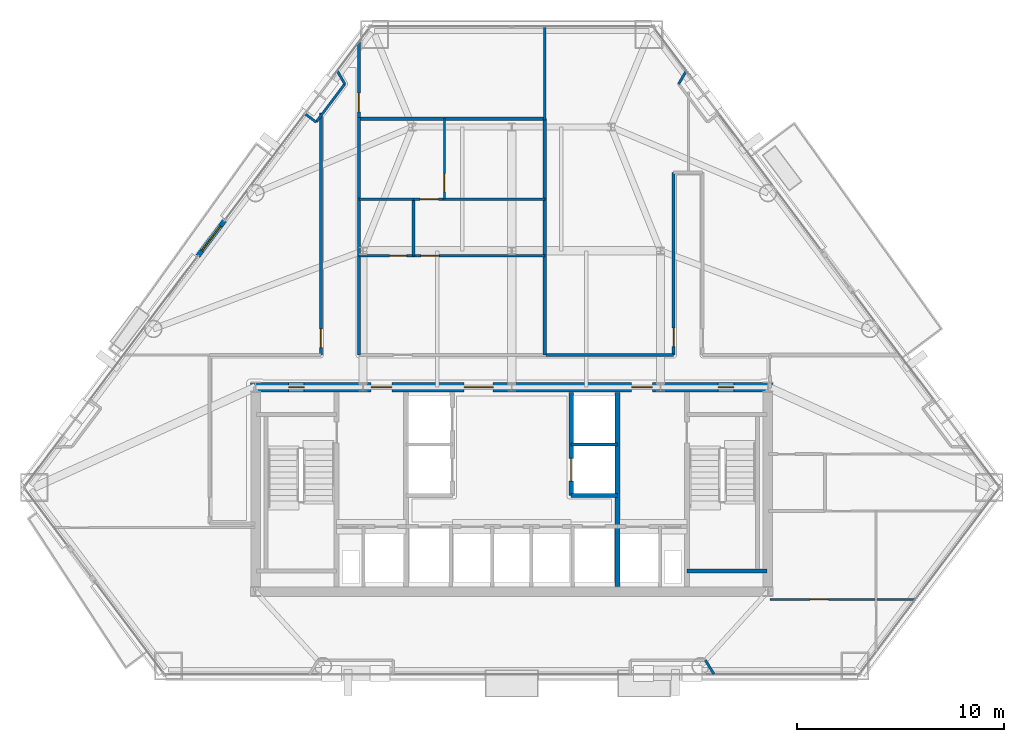
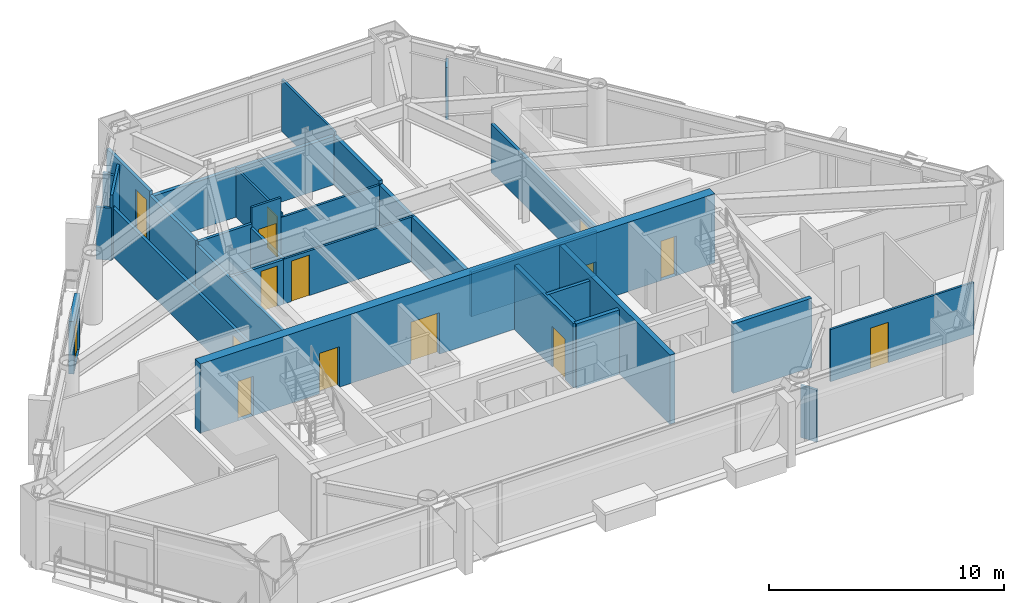
# One storey, part 7 of 10: 30 walls, 15 doors, 15 openings.
"""IFC4 building model written with IfcOpenShell, lengths in metres."""

import ifcopenshell
import ifcopenshell.guid

model = None  # the IFC model being written
_history = None  # IfcOwnerHistory: only IFC2X3 demands one
_inside = {}  # id of a spatial element -> (the spatial element, [elements in it])
_under = {}  # id of a project, library or spatial element -> (it, [spatial elements below it])
_declared = {}  # id of a project -> (the project, [libraries it declares])
_typed = {}  # id of a type object -> (the type object, [elements of that type])
_made_of = {}  # id of a material, layer set ... -> (it, [elements and type objects made of it])


def new_model(schema):
    """Start an empty IFC model of exactly this schema.

    Asked for "IFC4X3", IfcOpenShell would pick the latest addendum, in which some entities
    have other attributes; the version numbers below select the first issue.
    IFC2X3 requires an IfcOwnerHistory on every rooted entity: one is made here for all.
    """
    global model, _history
    if schema == "IFC4X3":
        model = ifcopenshell.file(schema_version=(4, 3, 0, 0))
    else:
        model = ifcopenshell.file(schema=schema)
    _inside.clear()
    _under.clear()
    _declared.clear()
    _typed.clear()
    _made_of.clear()
    _history = None
    if model.schema == "IFC2X3":
        org = make("IfcOrganization", Name="unknown")
        user = make(
            "IfcPersonAndOrganization",
            ThePerson=make("IfcPerson", FamilyName="unknown"),
            TheOrganization=org,
        )
        app = make(
            "IfcApplication",
            ApplicationDeveloper=org,
            Version="unknown",
            ApplicationFullName="unknown",
            ApplicationIdentifier="unknown",
        )
        _history = make(
            "IfcOwnerHistory",
            OwningUser=user,
            OwningApplication=app,
            ChangeAction="ADDED",
            CreationDate=0,
        )
    return model


def make(cls, **values):
    """One entity of the class cls with the attributes given. An attribute that is None is left unset."""
    return model.create_entity(
        cls, **{name: value for name, value in values.items() if value is not None}
    )


def rooted(cls, **values):
    """An entity with a GlobalId (a new one), such as an element, a storey or a relation."""
    return make(cls, GlobalId=ifcopenshell.guid.new(), OwnerHistory=_history, **values)


def si_unit(unit_type, name, prefix=None):
    """IfcSIUnit, for example si_unit("LENGTHUNIT", "METRE", prefix="MILLI")."""
    return make("IfcSIUnit", UnitType=unit_type, Prefix=prefix, Name=name)


def assignment(units):
    """IfcUnitAssignment: the units of a project."""
    return None if units is None else make("IfcUnitAssignment", Units=units)


def point(xyz):
    """IfcCartesianPoint."""
    return None if xyz is None else make("IfcCartesianPoint", Coordinates=xyz)


def direction(xyz):
    """IfcDirection."""
    return None if xyz is None else make("IfcDirection", DirectionRatios=xyz)


def frame(location, z_axis=None, x_axis=None):
    """IfcAxis2Placement3D, a coordinate frame: its origin and axes. An axis left out is left unset."""
    return make(
        "IfcAxis2Placement3D",
        Location=point(location),
        Axis=direction(z_axis),
        RefDirection=direction(x_axis),
    )


def frame_2d(location, x_axis=None):
    """IfcAxis2Placement2D, a coordinate frame in the plane: its origin and x axis."""
    return make(
        "IfcAxis2Placement2D", Location=point(location), RefDirection=direction(x_axis)
    )


def origin():
    """The frame at (0, 0, 0) with its axes left unset."""
    return frame((0.0, 0.0, 0.0))


def place(relative_to, where):
    """IfcLocalPlacement: puts the frame where relative to a parent placement (None: the world)."""
    return make(
        "IfcLocalPlacement", PlacementRelTo=relative_to, RelativePlacement=where
    )


def context(
    kind, dimensions, precision=None, world=None, true_north=None, identifier=None
):
    """IfcGeometricRepresentationContext, for example the 3D "Model" context."""
    return make(
        "IfcGeometricRepresentationContext",
        ContextIdentifier=identifier,
        ContextType=kind,
        CoordinateSpaceDimension=dimensions,
        Precision=precision,
        WorldCoordinateSystem=world,
        TrueNorth=true_north,
    )


def subcontext(parent, identifier, kind, view, scale=None):
    """IfcGeometricRepresentationSubContext, for example "Body" below "Model"."""
    return make(
        "IfcGeometricRepresentationSubContext",
        ContextIdentifier=identifier,
        ContextType=kind,
        ParentContext=parent,
        TargetScale=scale,
        TargetView=view,
    )


def project(units=None, contexts=None):
    """IfcProject with its units and contexts."""
    return rooted(
        "IfcProject",
        Name="project",
        RepresentationContexts=contexts,
        UnitsInContext=assignment(units),
    )


def spatial(cls, under=None, at=None, **own):
    """A site, building, storey or space (cls), placed at a placement, below another one or the project."""
    s = rooted(cls, ObjectPlacement=at, **own)
    if under is not None:
        _under.setdefault(under.id(), (under, []))[1].append(s)
    return s


def profile(cls, at=None, kind="AREA", **sizes):
    """A parametric profile (cls). Its sizes go by their IFC names, for example OverallWidth=200.0."""
    return make(cls, ProfileType=kind, Position=at, **sizes)


def rectangle(**sizes):
    """IfcRectangleProfileDef."""
    return profile("IfcRectangleProfileDef", **sizes)


def extrude(swept, where, along, depth):
    """IfcExtrudedAreaSolid: the profile swept, set in the frame where, extruded along a direction by depth."""
    return make(
        "IfcExtrudedAreaSolid",
        SweptArea=swept,
        Position=where,
        ExtrudedDirection=direction(along),
        Depth=depth,
    )


def shape(context_of_items, identifier, shape_type, items):
    """IfcShapeRepresentation: the items that make up one representation, for example the "Body"."""
    return make(
        "IfcShapeRepresentation",
        ContextOfItems=context_of_items,
        RepresentationIdentifier=identifier,
        RepresentationType=shape_type,
        Items=items,
    )


def material(Name=None, Category=None):
    """IfcMaterial."""
    return make("IfcMaterial", Name=Name, Category=Category)


def layer(
    of_material, thickness, ventilated=None, Name=None, Category=None, Priority=None
):
    """IfcMaterialLayer: one layer of a wall or slab, of a material (None: an air gap)."""
    return make(
        "IfcMaterialLayer",
        Material=of_material,
        LayerThickness=thickness,
        IsVentilated=ventilated,
        Name=Name,
        Category=Category,
        Priority=Priority,
    )


def layer_set(layers, Name=None):
    """IfcMaterialLayerSet."""
    return make("IfcMaterialLayerSet", MaterialLayers=layers, LayerSetName=Name)


def made_of(thing, what):
    """Note that an element or type object is made of a material, layer set ...; save() writes the relation."""
    if what is not None:
        _made_of.setdefault(what.id(), (what, []))[1].append(thing)
    return thing


def type_object(cls, material=None, **own):
    """A type object (cls), such as IfcWallType, which elements share."""
    return made_of(rooted(cls, **own), material)


def element(
    cls,
    number,
    at=None,
    inside=None,
    cuts=None,
    type_object=None,
    material=None,
    context=None,
    identifier="Body",
    shape_type=None,
    held_by="IfcProductDefinitionShape",
    body=None,
    shapes=None,
    **own,
):
    """One element of the class cls, such as IfcWall. Its Tag is "e" and its number.

    at: its placement. inside: the storey or other place that contains it. cuts: it is an
    opening in that element (IfcRelVoidsElement). A single representation is given by context,
    identifier, shape_type and body (its items); several are given by shapes. held_by: the class
    of the entity that holds the representations. save() writes the other relations.
    """
    e = rooted(cls, Tag="e%d" % number, ObjectPlacement=at, **own)
    if body is not None:
        shapes = [shape(context, identifier, shape_type, body)]
    if shapes is not None:
        e.Representation = make(held_by, Representations=shapes)
    if inside is not None:
        _inside.setdefault(inside.id(), (inside, []))[1].append(e)
    if cuts is not None:
        rooted(
            "IfcRelVoidsElement", RelatingBuildingElement=cuts, RelatedOpeningElement=e
        )
    if type_object is not None:
        _typed.setdefault(type_object.id(), (type_object, []))[1].append(e)
    return made_of(e, material)


def fill(opening, filler):
    """IfcRelFillsElement: the door or window that sits in an opening."""
    return rooted(
        "IfcRelFillsElement",
        RelatingOpeningElement=opening,
        RelatedBuildingElement=filler,
    )


def aggregate(whole, parts):
    """IfcRelAggregates: a whole, such as a stair, and the parts it consists of."""
    return rooted("IfcRelAggregates", RelatingObject=whole, RelatedObjects=parts)


def save(model, path):
    """Write the relations noted so far, then the file.

    IfcRelAggregates (storeys below a building ...), IfcRelContainedInSpatialStructure (elements
    in a storey), IfcRelDefinesByType, IfcRelAssociatesMaterial and IfcRelDeclares: one each for
    every whole, place, type object, material and project.
    """
    for whole, parts in _under.values():
        aggregate(whole, parts)
    for where, things in _inside.values():
        rooted(
            "IfcRelContainedInSpatialStructure",
            RelatedElements=things,
            RelatingStructure=where,
        )
    for kind, things in _typed.values():
        rooted("IfcRelDefinesByType", RelatedObjects=things, RelatingType=kind)
    for what, things in _made_of.values():
        rooted("IfcRelAssociatesMaterial", RelatedObjects=things, RelatingMaterial=what)
    for by, libraries in _declared.values():
        rooted("IfcRelDeclares", RelatingContext=by, RelatedDefinitions=libraries)
    model.write(path)


model = new_model("IFC4")

# Units and contexts
model_context = context("Model", 3, precision=1e-05, world=origin(), true_north=direction((0.0, 1.0)))
body_context = subcontext(model_context, "Body", "Model", "MODEL_VIEW")
ifc_project = project(units=[si_unit("LENGTHUNIT", "METRE"), si_unit("AREAUNIT", "SQUARE_METRE"), si_unit("VOLUMEUNIT", "CUBIC_METRE"), si_unit("PLANEANGLEUNIT", "RADIAN"), si_unit("MASSUNIT", "GRAM", prefix="KILO")], contexts=[model_context])

# Site, building, storey
site_placement = place(None, origin())
site = spatial("IfcSite", under=ifc_project, at=site_placement, CompositionType="ELEMENT")
building_placement = place(site_placement, origin())
building = spatial("IfcBuilding", under=site, at=building_placement, Name="Talgorran Terracotta Tower", CompositionType="ELEMENT")
storey_placement = place(building_placement, frame((0.0, 0.0, 82.800048828125)))
storey = spatial("IfcBuildingStorey", under=building, at=storey_placement, Name="L21", CompositionType="ELEMENT", Elevation=82.800048828125)

# Wall, opening, door
ifc_material_1 = material(Name="Concrete C40/50", Category="concrete")
ifc_layer_1 = layer(ifc_material_1, 0.239990234375, Name="WT_BALCONY_SPAND")
ifc_layer_set_1 = layer_set([ifc_layer_1], Name="Concrete C40/50")
wall_type_1 = type_object("IfcWallType", Name="WT_BALCONY_SPAND", PredefinedType="STANDARD", material=ifc_layer_set_1)
wall_1_placement = place(storey_placement, frame((-13.90966796875, 3.860107421875, -0.01513671875), z_axis=(0.0, 0.0, 1.0), x_axis=(-0.601040017347, -0.799218929673, 0.0)))
wall_1 = element("IfcWall", 1, at=wall_1_placement, inside=storey, type_object=wall_type_1, Name="WL-L21-BALP-BAL-NW", PredefinedType="STANDARD", context=body_context, shape_type="SweptSolid", body=[
    extrude(rectangle(XDim=2.139892578125, YDim=0.239990234375, at=frame_2d((1.06982421875, 0.0))), origin(), (0.0, 0.0, 1.0), 2.728515625),
])
opening_1_placement = place(wall_1_placement, frame((0.320068359375, 0.0, 0.014892578125)))
opening_1 = element("IfcOpeningElement", 2, at=opening_1_placement, cuts=wall_1, Name="Opening D-BAL-L21-2", PredefinedType="OPENING", context=body_context, shape_type="SweptSolid", body=[
    extrude(rectangle(XDim=1.506, YDim=2.203951171875, at=frame_2d((0.75, 1.10205078125))), frame((0.0, 0.1298828125, 0.0), z_axis=(0.0, -1.0, 0.0), x_axis=(1.0, 0.0, 0.0)), (0.0, 0.0, 1.0), 0.260009765625),
])
ifc_material_2 = material(Name="Thermally Broken Aluminium", Category="aluminium")
door_type_1 = type_object("IfcDoorType", Name="DT_BALC_1500", OperationType="SLIDING_TO_RIGHT", PredefinedType="DOOR", material=ifc_material_2)
door_1_placement = place(opening_1_placement, origin())
door_1 = element("IfcDoor", 3, at=door_1_placement, inside=storey, type_object=door_type_1, Name="DR-L21-BAL-BAL-NW", OperationType="SLIDING_TO_RIGHT", OverallHeight=2.199951171875, OverallWidth=1.5, PredefinedType="DOOR", context=body_context, shape_type="SweptSolid", body=[
    extrude(rectangle(XDim=1.5, YDim=2.199951171875, at=frame_2d((0.75, 1.10009765625))), frame((0.0, 0.02490234375, 0.0), z_axis=(0.0, -1.0, 0.0), x_axis=(1.0, 0.0, 0.0)), (0.0, 0.0, 1.0), 0.050048828125),
])
fill(opening_1, door_1)

# Wall
ifc_material_3 = material(Name="Concrete C50/60", Category="concrete")
ifc_layer_2 = layer(ifc_material_3, 0.199951171875, Name="WT_CORE_200")
ifc_layer_set_2 = layer_set([ifc_layer_2], Name="Concrete C50/60")
wall_type_2 = type_object("IfcWallType", Name="WT_CORE_200", PredefinedType="SOLIDWALL", material=ifc_layer_set_2)
wall_2_placement = place(storey_placement, frame((8.47998046875, -13.10009765625, 0.0), z_axis=(0.0, 0.0, 1.0), x_axis=(1.0, 0.0, 0.0)))
element("IfcWall", 4, at=wall_2_placement, inside=storey, type_object=wall_type_2, Name="WL-L21-CW-ST2-S", PredefinedType="SOLIDWALL", context=body_context, shape_type="SweptSolid", body=[
    extrude(rectangle(XDim=3.8701171875, YDim=0.199951171875, at=frame_2d((1.93505859375, 0.0))), origin(), (0.0, 0.0, 1.0), 3.599853515625),
])

# Wall, opening, door
wall_3_placement = place(storey_placement, frame((2.8798828125, -9.449951171875, 0.0), z_axis=(0.0, 0.0, 1.0), x_axis=(0.0, 1.0, 0.0)))
wall_3 = element("IfcWall", 5, at=wall_3_placement, inside=storey, type_object=wall_type_2, Name="WL-L21-CW-V-E3", PredefinedType="SOLIDWALL", context=body_context, shape_type="SweptSolid", body=[
    extrude(rectangle(XDim=5.0, YDim=0.199951171875, at=frame_2d((2.5, 0.0))), origin(), (0.0, 0.0, 1.0), 3.349853515625),
])
opening_2_placement = place(wall_3_placement, frame((0.699951171875, 0.0, 0.0)))
opening_2 = element("IfcOpeningElement", 6, at=opening_2_placement, cuts=wall_3, Name="Opening LD-PLM1", PredefinedType="OPENING", context=body_context, shape_type="SweptSolid", body=[
    extrude(rectangle(XDim=1.10609765625, YDim=2.10409765625, at=frame_2d((0.550048828125, 1.052001953125))), frame((0.0, 0.10986328125, 0.0), z_axis=(0.0, -1.0, 0.0), x_axis=(1.0, 0.0, 0.0)), (0.0, 0.0, 1.0), 0.219970703125),
])
ifc_material_4 = material(Name="Brushed Stainless Steel Grade 304", Category="steel")
door_type_2 = type_object("IfcDoorType", Name="DT_LIFT_LD1100", OperationType="DOUBLE_DOOR_SLIDING", PredefinedType="DOOR", material=ifc_material_4)
door_2_placement = place(opening_2_placement, origin())
door_2 = element("IfcDoor", 7, at=door_2_placement, inside=storey, type_object=door_type_2, Name="L21 Lift Landing Door LD-PLM1", OperationType="DOUBLE_DOOR_SLIDING", OverallHeight=2.10009765625, OverallWidth=1.10009765625, PredefinedType="DOOR", context=body_context, shape_type="SweptSolid", body=[
    extrude(rectangle(XDim=1.10009765625, YDim=2.10009765625, at=frame_2d((0.550048828125, 1.050048828125))), frame((0.0, 0.02490234375, 0.0), z_axis=(0.0, -1.0, 0.0), x_axis=(1.0, 0.0, 0.0)), (0.0, 0.0, 1.0), 0.050048828125),
])
fill(opening_2, door_2)

# Walls
wall_4_placement = place(storey_placement, frame((2.8798828125, -9.449951171875, 0.0), z_axis=(0.0, 0.0, 1.0), x_axis=(1.0, 0.0, 0.0)))
element("IfcWall", 8, at=wall_4_placement, inside=storey, type_object=wall_type_2, Name="WL-L21-CW-H-E4", PredefinedType="SOLIDWALL", context=body_context, shape_type="SweptSolid", body=[
    extrude(rectangle(XDim=2.240234375, YDim=0.199951171875, at=frame_2d((1.1201171875, 0.0))), origin(), (0.0, 0.0, 1.0), 3.349853515625),
])
ifc_layer_3 = layer(ifc_material_3, 0.25, Name="WT_CORE_250")
ifc_layer_set_3 = layer_set([ifc_layer_3], Name="Concrete C50/60")
wall_type_3 = type_object("IfcWallType", Name="WT_CORE_250", PredefinedType="SHEAR", material=ifc_layer_set_3)
wall_5_placement = place(storey_placement, frame((5.1201171875, -13.85009765625, 0.0), z_axis=(0.0, 0.0, 1.0), x_axis=(0.0, 1.0, 0.0)))
element("IfcWall", 9, at=wall_5_placement, inside=storey, type_object=wall_type_3, Name="WL-L21-CW-V-E2", PredefinedType="SHEAR", context=body_context, shape_type="SweptSolid", body=[
    extrude(rectangle(XDim=9.400146484375, YDim=0.25, at=frame_2d((4.7001953125, 0.0))), origin(), (0.0, 0.0, 1.0), 3.599853515625),
])

# Wall, openings, doors
ifc_material_5 = material(Name="Concrete C65/80", Category="concrete")
ifc_layer_4 = layer(ifc_material_5, 0.449951171875, Name="WT_CORE_EXT")
ifc_layer_set_4 = layer_set([ifc_layer_4], Name="Concrete C65/80")
wall_type_4 = type_object("IfcWallType", Name="WT_CORE_EXT", PredefinedType="SHEAR", material=ifc_layer_set_4)
wall_6_placement = place(storey_placement, frame((-12.64990234375, -4.199951171875, 0.0), z_axis=(0.0, 0.0, 1.0), x_axis=(1.0, 0.0, 0.0)))
wall_6 = element("IfcWall", 10, at=wall_6_placement, inside=storey, type_object=wall_type_4, Name="WL-L21-CW-OUT-N", PredefinedType="SHEAR", context=body_context, shape_type="SweptSolid", body=[
    extrude(rectangle(XDim=25.2998046875, YDim=0.449951171875, at=frame_2d((12.64990234375, 0.0))), origin(), (0.0, 0.0, 1.0), 3.599853515625),
])
opening_3_placement = place(wall_6_placement, frame((1.85009765625, 0.0, 0.0)))
opening_3 = element("IfcOpeningElement", 11, at=opening_3_placement, cuts=wall_6, Name="Opening DR-CSN1", PredefinedType="OPENING", context=body_context, shape_type="SweptSolid", body=[
    extrude(rectangle(XDim=0.756, YDim=2.054048828125, at=frame_2d((0.375, 1.027099609375))), frame((0.0, 0.23486328125, 0.0), z_axis=(0.0, -1.0, 0.0), x_axis=(1.0, 0.0, 0.0)), (0.0, 0.0, 1.0), 0.469970703125),
])
opening_4_placement = place(wall_6_placement, frame((22.64990234375, 0.0, 0.0)))
opening_4 = element("IfcOpeningElement", 12, at=opening_4_placement, cuts=wall_6, Name="Opening DR-CSN2", PredefinedType="OPENING", context=body_context, shape_type="SweptSolid", body=[
    extrude(rectangle(XDim=0.756, YDim=2.054048828125, at=frame_2d((0.375, 1.027099609375))), frame((0.0, 0.23486328125, 0.0), z_axis=(0.0, -1.0, 0.0), x_axis=(1.0, 0.0, 0.0)), (0.0, 0.0, 1.0), 0.469970703125),
])
opening_5_placement = place(wall_6_placement, frame((5.85009765625, 0.0, 0.0)))
opening_5 = element("IfcOpeningElement", 13, at=opening_5_placement, cuts=wall_6, Name="Opening DR-FFLW-N", PredefinedType="OPENING", context=body_context, shape_type="SweptSolid", body=[
    extrude(rectangle(XDim=1.006, YDim=2.10409765625, at=frame_2d((0.5, 1.052001953125))), frame((0.0, 0.23486328125, 0.0), z_axis=(0.0, -1.0, 0.0), x_axis=(1.0, 0.0, 0.0)), (0.0, 0.0, 1.0), 0.469970703125),
])
opening_6_placement = place(wall_6_placement, frame((10.35009765625, 0.0, 0.0)))
opening_6 = element("IfcOpeningElement", 14, at=opening_6_placement, cuts=wall_6, Name="Opening DR-PLL-N", PredefinedType="OPENING", context=body_context, shape_type="SweptSolid", body=[
    extrude(rectangle(XDim=1.40590234375, YDim=2.15390234375, at=frame_2d((0.699951171875, 1.076904296875))), frame((0.0, 0.23486328125, 0.0), z_axis=(0.0, -1.0, 0.0), x_axis=(1.0, 0.0, 0.0)), (0.0, 0.0, 1.0), 0.469970703125),
])
opening_7_placement = place(wall_6_placement, frame((18.449951171875, 0.0, 0.0)))
opening_7 = element("IfcOpeningElement", 15, at=opening_7_placement, cuts=wall_6, Name="Opening DR-FFLE-N", PredefinedType="OPENING", context=body_context, shape_type="SweptSolid", body=[
    extrude(rectangle(XDim=1.006, YDim=2.10409765625, at=frame_2d((0.5, 1.052001953125))), frame((0.0, 0.23486328125, 0.0), z_axis=(0.0, -1.0, 0.0), x_axis=(1.0, 0.0, 0.0)), (0.0, 0.0, 1.0), 0.469970703125),
])
ifc_material_6 = material(Name="Acoustic Glazed Timber", Category="wood")
door_type_3 = type_object("IfcDoorType", Name="DT_DOUBLE_1400", OperationType="DOUBLE_DOOR_SINGLE_SWING", PredefinedType="DOOR", material=ifc_material_6)
door_3_placement = place(opening_6_placement, origin())
door_3 = element("IfcDoor", 16, at=door_3_placement, inside=storey, type_object=door_type_3, Name="DR-PLL-N", OperationType="DOUBLE_DOOR_SINGLE_SWING", OverallHeight=2.14990234375, OverallWidth=1.39990234375, PredefinedType="DOOR", context=body_context, shape_type="SweptSolid", body=[
    extrude(rectangle(XDim=1.39990234375, YDim=2.14990234375, at=frame_2d((0.699951171875, 1.074951171875))), frame((0.0, 0.02490234375, 0.0), z_axis=(0.0, -1.0, 0.0), x_axis=(1.0, 0.0, 0.0)), (0.0, 0.0, 1.0), 0.050048828125),
])
fill(opening_6, door_3)
ifc_material_7 = material(Name="Fire-Rated Pressed Steel", Category="steel")
door_type_4 = type_object("IfcDoorType", Name="DT_FIRE_1000", OperationType="NOTDEFINED", PredefinedType="DOOR", material=ifc_material_7)
door_4_placement = place(opening_5_placement, origin())
door_4 = element("IfcDoor", 17, at=door_4_placement, inside=storey, type_object=door_type_4, Name="DR-FFLW-N", OperationType="SINGLE_SWING_LEFT", OverallHeight=2.10009765625, OverallWidth=1.0, PredefinedType="DOOR", context=body_context, shape_type="SweptSolid", body=[
    extrude(rectangle(XDim=1.0, YDim=2.10009765625, at=frame_2d((0.5, 1.050048828125))), frame((0.0, 0.02490234375, 0.0), z_axis=(0.0, -1.0, 0.0), x_axis=(1.0, 0.0, 0.0)), (0.0, 0.0, 1.0), 0.050048828125),
])
fill(opening_5, door_4)
door_5_placement = place(opening_7_placement, origin())
door_5 = element("IfcDoor", 18, at=door_5_placement, inside=storey, type_object=door_type_4, Name="DR-FFLE-N", OperationType="SINGLE_SWING_RIGHT", OverallHeight=2.10009765625, OverallWidth=1.0, PredefinedType="DOOR", context=body_context, shape_type="SweptSolid", body=[
    extrude(rectangle(XDim=1.0, YDim=2.10009765625, at=frame_2d((0.5, 1.050048828125))), frame((0.0, 0.02490234375, 0.0), z_axis=(0.0, -1.0, 0.0), x_axis=(1.0, 0.0, 0.0)), (0.0, 0.0, 1.0), 0.050048828125),
])
fill(opening_7, door_5)
door_type_5 = type_object("IfcDoorType", Name="DT_RISER_750", OperationType="NOTDEFINED", PredefinedType="DOOR", material=ifc_material_7)
door_6_placement = place(opening_3_placement, origin())
door_6 = element("IfcDoor", 19, at=door_6_placement, inside=storey, type_object=door_type_5, Name="DR-CSN1", OperationType="SINGLE_SWING_LEFT", OverallHeight=2.050048828125, OverallWidth=0.75, PredefinedType="DOOR", context=body_context, shape_type="SweptSolid", body=[
    extrude(rectangle(XDim=0.75, YDim=2.050048828125, at=frame_2d((0.375, 1.02490234375))), frame((0.0, 0.02490234375, 0.0), z_axis=(0.0, -1.0, 0.0), x_axis=(1.0, 0.0, 0.0)), (0.0, 0.0, 1.0), 0.050048828125),
])
fill(opening_3, door_6)
door_7_placement = place(opening_4_placement, origin())
door_7 = element("IfcDoor", 20, at=door_7_placement, inside=storey, type_object=door_type_5, Name="DR-CSN2", OperationType="SINGLE_SWING_RIGHT", OverallHeight=2.050048828125, OverallWidth=0.75, PredefinedType="DOOR", context=body_context, shape_type="SweptSolid", body=[
    extrude(rectangle(XDim=0.75, YDim=2.050048828125, at=frame_2d((0.375, 1.02490234375))), frame((0.0, 0.02490234375, 0.0), z_axis=(0.0, -1.0, 0.0), x_axis=(1.0, 0.0, 0.0)), (0.0, 0.0, 1.0), 0.050048828125),
])
fill(opening_4, door_7)

# Wall, opening, door
ifc_material_8 = material(Name="Fire-Rated Steel Stud Plasterboard", Category="steel")
ifc_layer_5 = layer(ifc_material_8, 0.14990234375, Name="WT_FIRE_150")
ifc_layer_set_5 = layer_set([ifc_layer_5], Name="Fire-Rated Steel Stud Plasterboard")
wall_type_5 = type_object("IfcWallType", Name="WT_FIRE_150", PredefinedType="PARTITIONING", material=ifc_layer_set_5)
wall_7_placement = place(storey_placement, frame((-9.239990234375, -2.639892578125, 0.0), z_axis=(0.0, 0.0, 1.0), x_axis=(0.0, 1.0, 0.0)))
wall_7 = element("IfcWall", 21, at=wall_7_placement, inside=storey, type_object=wall_type_5, Name="WL-L21-W-L21-R05", PredefinedType="PARTITIONING", context=body_context, shape_type="SweptSolid", body=[
    extrude(rectangle(XDim=11.719970703125, YDim=0.14990234375, at=frame_2d((5.85986328125, 0.0))), origin(), (0.0, 0.0, 1.0), 2.509033203125),
])
opening_8_placement = place(wall_7_placement, frame((0.359130859375, 0.0, 0.0)))
opening_8 = element("IfcOpeningElement", 22, at=opening_8_placement, cuts=wall_7, Name="Opening DR-L21-R08", PredefinedType="OPENING", context=body_context, shape_type="SweptSolid", body=[
    extrude(rectangle(XDim=0.90590234375, YDim=2.10409765625, at=frame_2d((0.449951171875, 1.052001953125))), frame((0.0, 0.0849609375, 0.0), z_axis=(0.0, -1.0, 0.0), x_axis=(1.0, 0.0, 0.0)), (0.0, 0.0, 1.0), 0.169921875),
])
ifc_material_9 = material(Name="Fire-Rated Timber Core", Category="wood")
door_type_6 = type_object("IfcDoorType", Name="DT_FIRE_900", OperationType="NOTDEFINED", PredefinedType="DOOR", material=ifc_material_9)
door_8_placement = place(opening_8_placement, origin())
door_8 = element("IfcDoor", 23, at=door_8_placement, inside=storey, type_object=door_type_6, Name="DR-L21-R08", OperationType="SINGLE_SWING_RIGHT", OverallHeight=2.10009765625, OverallWidth=0.89990234375, PredefinedType="DOOR", context=body_context, shape_type="SweptSolid", body=[
    extrude(rectangle(XDim=0.89990234375, YDim=2.10009765625, at=frame_2d((0.449951171875, 1.050048828125))), frame((0.0, 0.02490234375, 0.0), z_axis=(0.0, -1.0, 0.0), x_axis=(1.0, 0.0, 0.0)), (0.0, 0.0, 1.0), 0.050048828125),
])
fill(opening_8, door_8)

wall_8_placement = place(storey_placement, frame((7.840087890625, -2.639892578125, 0.0), z_axis=(0.0, 0.0, 1.0), x_axis=(0.0, 1.0, 0.0)))
wall_8 = element("IfcWall", 24, at=wall_8_placement, inside=storey, type_object=wall_type_5, Name="WL-L21-W-L21-R11", PredefinedType="PARTITIONING", context=body_context, shape_type="SweptSolid", body=[
    extrude(rectangle(XDim=8.83984375, YDim=0.14990234375, at=frame_2d((4.419921875, 0.0))), origin(), (0.0, 0.0, 1.0), 2.509033203125),
])
opening_9_placement = place(wall_8_placement, frame((0.3994140625, 0.0, 0.0)))
opening_9 = element("IfcOpeningElement", 25, at=opening_9_placement, cuts=wall_8, Name="Opening DR-L21-R14", PredefinedType="OPENING", context=body_context, shape_type="SweptSolid", body=[
    extrude(rectangle(XDim=0.90590234375, YDim=2.10409765625, at=frame_2d((0.449951171875, 1.052001953125))), frame((0.0, 0.0849609375, 0.0), z_axis=(0.0, -1.0, 0.0), x_axis=(1.0, 0.0, 0.0)), (0.0, 0.0, 1.0), 0.169921875),
])
door_9_placement = place(opening_9_placement, origin())
door_9 = element("IfcDoor", 26, at=door_9_placement, inside=storey, type_object=door_type_6, Name="DR-L21-R14", OperationType="SINGLE_SWING_RIGHT", OverallHeight=2.10009765625, OverallWidth=0.89990234375, PredefinedType="DOOR", context=body_context, shape_type="SweptSolid", body=[
    extrude(rectangle(XDim=0.89990234375, YDim=2.10009765625, at=frame_2d((0.449951171875, 1.050048828125))), frame((0.0, 0.02490234375, 0.0), z_axis=(0.0, -1.0, 0.0), x_axis=(1.0, 0.0, 0.0)), (0.0, 0.0, 1.0), 0.050048828125),
])
fill(opening_9, door_9)

# Walls
wall_9_placement = place(storey_placement, frame((1.662109375, -2.639892578125, 0.0), z_axis=(0.0, 0.0, 1.0), x_axis=(1.0, 0.0, 0.0)))
element("IfcWall", 27, at=wall_9_placement, inside=storey, type_object=wall_type_5, Name="WL-L21-W-L21-R10", PredefinedType="PARTITIONING", context=body_context, shape_type="SweptSolid", body=[
    extrude(rectangle(XDim=6.177978515625, YDim=0.14990234375, at=frame_2d((3.0888671875, 0.0))), origin(), (0.0, 0.0, 1.0), 2.324951171875),
])
wall_10_placement = place(storey_placement, frame((-7.39990234375, -2.639892578125, 0.0), z_axis=(0.0, 0.0, 1.0), x_axis=(0.0, 1.0, 0.0)))
element("IfcWall", 28, at=wall_10_placement, inside=storey, type_object=wall_type_5, Name="WL-L21-W-L21-R06", PredefinedType="PARTITIONING", context=body_context, shape_type="SweptSolid", body=[
    extrude(rectangle(XDim=7.599853515625, YDim=0.14990234375, at=frame_2d((3.7998046875, 0.0))), origin(), (0.0, 0.0, 1.0), 2.324951171875),
])
wall_11_placement = place(storey_placement, frame((-7.39990234375, 4.9619140625, 0.0), z_axis=(0.0, 0.0, 1.0), x_axis=(0.0, 1.0, 0.0)))
element("IfcWall", 29, at=wall_11_placement, inside=storey, type_object=wall_type_5, Name="WL-L21-W-L21-R09", PredefinedType="PARTITIONING", context=body_context, shape_type="SweptSolid", body=[
    extrude(rectangle(XDim=3.898193359375, YDim=0.14990234375, at=frame_2d((1.94921875, 0.0))), origin(), (0.0, 0.0, 1.0), 2.509033203125),
])

# Wall, opening, door
wall_12_placement = place(storey_placement, frame((-7.39990234375, 8.862060546875, 0.0), z_axis=(0.0, 0.0, 1.0), x_axis=(0.0, 1.0, 0.0)))
wall_12 = element("IfcWall", 30, at=wall_12_placement, inside=storey, type_object=wall_type_5, Name="WL-L21-W-L21-R17", PredefinedType="PARTITIONING", context=body_context, shape_type="SweptSolid", body=[
    extrude(rectangle(XDim=3.654052734375, YDim=0.14990234375, at=frame_2d((1.8271484375, 0.0))), origin(), (0.0, 0.0, 1.0), 2.71337890625),
])
opening_10_placement = place(wall_12_placement, frame((0.270751953125, 0.0, 0.0)))
opening_10 = element("IfcOpeningElement", 31, at=opening_10_placement, cuts=wall_12, Name="Opening DR-L21-R16", PredefinedType="OPENING", context=body_context, shape_type="SweptSolid", body=[
    extrude(rectangle(XDim=0.90590234375, YDim=2.10409765625, at=frame_2d((0.449951171875, 1.052001953125))), frame((0.0, 0.0849609375, 0.0), z_axis=(0.0, -1.0, 0.0), x_axis=(1.0, 0.0, 0.0)), (0.0, 0.0, 1.0), 0.169921875),
])
door_10_placement = place(opening_10_placement, origin())
door_10 = element("IfcDoor", 32, at=door_10_placement, inside=storey, type_object=door_type_6, Name="DR-L21-R16", OperationType="SINGLE_SWING_RIGHT", OverallHeight=2.10009765625, OverallWidth=0.89990234375, PredefinedType="DOOR", context=body_context, shape_type="SweptSolid", body=[
    extrude(rectangle(XDim=0.89990234375, YDim=2.10009765625, at=frame_2d((0.449951171875, 1.050048828125))), frame((0.0, 0.02490234375, 0.0), z_axis=(0.0, -1.0, 0.0), x_axis=(1.0, 0.0, 0.0)), (0.0, 0.0, 1.0), 0.050048828125),
])
fill(opening_10, door_10)

# Walls
ifc_material_10 = material(Name="Acoustic Stud and Plasterboard")
ifc_layer_6 = layer(ifc_material_10, 0.179931640625, Name="WT_PARTY_200")
ifc_layer_set_6 = layer_set([ifc_layer_6], Name="Acoustic Stud and Plasterboard")
wall_type_6 = type_object("IfcWallType", Name="WT_PARTY_200", PredefinedType="PARTITIONING", material=ifc_layer_set_6)
wall_13_placement = place(storey_placement, frame((-7.39990234375, 8.800048828125, 0.0), z_axis=(0.0, 0.0, 1.0), x_axis=(1.0, 0.0, 0.0)))
element("IfcWall", 33, at=wall_13_placement, inside=storey, type_object=wall_type_6, Name="WL-L21-W-L21-R41", PredefinedType="PARTITIONING", context=body_context, shape_type="SweptSolid", body=[
    extrude(rectangle(XDim=9.0, YDim=0.179931640625, at=frame_2d((4.5, 0.0))), origin(), (0.0, 0.0, 1.0), 2.509033203125),
])
wall_14_placement = place(storey_placement, frame((1.60009765625, -2.639892578125, 0.0), z_axis=(0.0, 0.0, 1.0), x_axis=(0.0, 1.0, 0.0)))
element("IfcWall", 34, at=wall_14_placement, inside=storey, type_object=wall_type_6, Name="WL-L21-W-L21-R32", PredefinedType="PARTITIONING", context=body_context, shape_type="SweptSolid", body=[
    extrude(rectangle(XDim=7.539794921875, YDim=0.179931640625, at=frame_2d((3.77001953125, 0.0))), origin(), (0.0, 0.0, 1.0), 2.324951171875),
])
wall_15_placement = place(storey_placement, frame((1.60009765625, 4.89990234375, 0.0), z_axis=(0.0, 0.0, 1.0), x_axis=(0.0, 1.0, 0.0)))
element("IfcWall", 35, at=wall_15_placement, inside=storey, type_object=wall_type_6, Name="WL-L21-W-L21-R40", PredefinedType="PARTITIONING", context=body_context, shape_type="SweptSolid", body=[
    extrude(rectangle(XDim=3.900146484375, YDim=0.179931640625, at=frame_2d((1.9501953125, 0.0))), origin(), (0.0, 0.0, 1.0), 2.509033203125),
])

# Wall, opening, door
ifc_material_11 = material(Name="Lightweight Steel Stud Partition", Category="steel")
ifc_layer_7 = layer(ifc_material_11, 0.10498046875, Name="WT_PART_110")
ifc_layer_set_7 = layer_set([ifc_layer_7], Name="Lightweight Steel Stud Partition")
wall_type_7 = type_object("IfcWallType", Name="WT_PART_110", PredefinedType="PARTITIONING", material=ifc_layer_set_7)
wall_16_placement = place(storey_placement, frame((12.5, -14.47998046875, 0.0), z_axis=(0.0, 0.0, 1.0), x_axis=(1.0, 0.0, 0.0)))
wall_16 = element("IfcWall", 36, at=wall_16_placement, inside=storey, type_object=wall_type_7, Name="WL-L21-W-L21-R27", PredefinedType="PARTITIONING", context=body_context, shape_type="SweptSolid", body=[
    extrude(rectangle(XDim=7.03759765625, YDim=0.10498046875, at=frame_2d((3.518798828125, 0.0))), origin(), (0.0, 0.0, 1.0), 2.71337890625),
])
opening_11_placement = place(wall_16_placement, frame((1.950927734375, 0.0, 0.0)))
opening_11 = element("IfcOpeningElement", 37, at=opening_11_placement, cuts=wall_16, Name="Opening DR-L21-R07", PredefinedType="OPENING", context=body_context, shape_type="SweptSolid", body=[
    extrude(rectangle(XDim=0.8858828125, YDim=2.10409765625, at=frame_2d((0.43994140625, 1.052001953125))), frame((0.0, 0.0625, 0.0), z_axis=(0.0, -1.0, 0.0), x_axis=(1.0, 0.0, 0.0)), (0.0, 0.0, 1.0), 0.125),
])
ifc_material_12 = material(Name="Solid-Core Painted Timber", Category="wood")
door_type_7 = type_object("IfcDoorType", Name="DT_INT_880", OperationType="NOTDEFINED", PredefinedType="DOOR", material=ifc_material_12)
door_11_placement = place(opening_11_placement, origin())
door_11 = element("IfcDoor", 38, at=door_11_placement, inside=storey, type_object=door_type_7, Name="DR-L21-R07", OperationType="SINGLE_SWING_LEFT", OverallHeight=2.10009765625, OverallWidth=0.8798828125, PredefinedType="DOOR", context=body_context, shape_type="SweptSolid", body=[
    extrude(rectangle(XDim=0.8798828125, YDim=2.10009765625, at=frame_2d((0.43994140625, 1.050048828125))), frame((0.0, 0.02490234375, 0.0), z_axis=(0.0, -1.0, 0.0), x_axis=(1.0, 0.0, 0.0)), (0.0, 0.0, 1.0), 0.050048828125),
])
fill(opening_11, door_11)

wall_17_placement = place(storey_placement, frame((-4.800048828125, 2.159912109375, 0.0), z_axis=(0.0, 0.0, 1.0), x_axis=(1.0, 0.0, 0.0)))
wall_17 = element("IfcWall", 39, at=wall_17_placement, inside=storey, type_object=wall_type_7, Name="WL-L21-W-L21-R31", PredefinedType="PARTITIONING", context=body_context, shape_type="SweptSolid", body=[
    extrude(rectangle(XDim=6.400146484375, YDim=0.10498046875, at=frame_2d((3.2001953125, 0.0))), origin(), (0.0, 0.0, 1.0), 2.324951171875),
])
opening_12_placement = place(wall_17_placement, frame((0.39794921875, 0.0, 0.0)))
opening_12 = element("IfcOpeningElement", 40, at=opening_12_placement, cuts=wall_17, Name="Opening DR-L21-R11", PredefinedType="OPENING", context=body_context, shape_type="SweptSolid", body=[
    extrude(rectangle(XDim=0.8858828125, YDim=2.10409765625, at=frame_2d((0.43994140625, 1.052001953125))), frame((0.0, 0.0625, 0.0), z_axis=(0.0, -1.0, 0.0), x_axis=(1.0, 0.0, 0.0)), (0.0, 0.0, 1.0), 0.125),
])
door_12_placement = place(opening_12_placement, origin())
door_12 = element("IfcDoor", 41, at=door_12_placement, inside=storey, type_object=door_type_7, Name="DR-L21-R11", OperationType="SINGLE_SWING_LEFT", OverallHeight=2.10009765625, OverallWidth=0.8798828125, PredefinedType="DOOR", context=body_context, shape_type="SweptSolid", body=[
    extrude(rectangle(XDim=0.8798828125, YDim=2.10009765625, at=frame_2d((0.43994140625, 1.050048828125))), frame((0.0, 0.02490234375, 0.0), z_axis=(0.0, -1.0, 0.0), x_axis=(1.0, 0.0, 0.0)), (0.0, 0.0, 1.0), 0.050048828125),
])
fill(opening_12, door_12)

# Walls
wall_18_placement = place(storey_placement, frame((-3.320068359375, 4.89990234375, 0.0), z_axis=(0.0, 0.0, 1.0), x_axis=(1.0, 0.0, 0.0)))
element("IfcWall", 42, at=wall_18_placement, inside=storey, type_object=wall_type_7, Name="WL-L21-W-L21-R36", PredefinedType="PARTITIONING", context=body_context, shape_type="SweptSolid", body=[
    extrude(rectangle(XDim=4.920166015625, YDim=0.10498046875, at=frame_2d((2.4599609375, 0.0))), origin(), (0.0, 0.0, 1.0), 2.324951171875),
])
wall_19_placement = place(storey_placement, frame((1.60009765625, 8.739990234375, 0.0), z_axis=(0.0, 0.0, 1.0), x_axis=(0.0, 1.0, 0.0)))
element("IfcWall", 43, at=wall_19_placement, inside=storey, type_object=wall_type_7, Name="WL-L21-W-L21-R43", PredefinedType="PARTITIONING", context=body_context, shape_type="SweptSolid", body=[
    extrude(rectangle(XDim=4.525146484375, YDim=0.10498046875, at=frame_2d((2.2626953125, 0.0))), origin(), (0.0, 0.0, 1.0), 2.71337890625),
])

# Wall, opening, door
wall_20_placement = place(storey_placement, frame((-3.260009765625, 4.89990234375, 0.0), z_axis=(0.0, 0.0, 1.0), x_axis=(0.0, 1.0, 0.0)))
wall_20 = element("IfcWall", 44, at=wall_20_placement, inside=storey, type_object=wall_type_7, Name="WL-L21-W-L21-R38", PredefinedType="PARTITIONING", context=body_context, shape_type="SweptSolid", body=[
    extrude(rectangle(XDim=3.900146484375, YDim=0.10498046875, at=frame_2d((1.9501953125, 0.0))), origin(), (0.0, 0.0, 1.0), 2.509033203125),
])
opening_13_placement = place(wall_20_placement, frame((0.3583984375, 0.0, 0.0)))
opening_13 = element("IfcOpeningElement", 45, at=opening_13_placement, cuts=wall_20, Name="Opening DR-L21-R13", PredefinedType="OPENING", context=body_context, shape_type="SweptSolid", body=[
    extrude(rectangle(XDim=0.8858828125, YDim=2.10409765625, at=frame_2d((0.43994140625, 1.052001953125))), frame((0.0, 0.0625, 0.0), z_axis=(0.0, -1.0, 0.0), x_axis=(1.0, 0.0, 0.0)), (0.0, 0.0, 1.0), 0.125),
])
door_13_placement = place(opening_13_placement, origin())
door_13 = element("IfcDoor", 46, at=door_13_placement, inside=storey, type_object=door_type_7, Name="DR-L21-R13", OperationType="SINGLE_SWING_LEFT", OverallHeight=2.10009765625, OverallWidth=0.8798828125, PredefinedType="DOOR", context=body_context, shape_type="SweptSolid", body=[
    extrude(rectangle(XDim=0.8798828125, YDim=2.10009765625, at=frame_2d((0.43994140625, 1.050048828125))), frame((0.0, 0.02490234375, 0.0), z_axis=(0.0, -1.0, 0.0), x_axis=(1.0, 0.0, 0.0)), (0.0, 0.0, 1.0), 0.050048828125),
])
fill(opening_13, door_13)

wall_21_placement = place(storey_placement, frame((-4.760009765625, 4.89990234375, 0.0), z_axis=(0.0, 0.0, 1.0), x_axis=(1.0, 0.0, 0.0)))
wall_21 = element("IfcWall", 47, at=wall_21_placement, inside=storey, type_object=wall_type_7, Name="WL-L21-W-L21-R35", PredefinedType="PARTITIONING", context=body_context, shape_type="SweptSolid", body=[
    extrude(rectangle(XDim=1.43798828125, YDim=0.10498046875, at=frame_2d((0.718994140625, 0.0))), origin(), (0.0, 0.0, 1.0), 3.349853515625),
])
opening_14_placement = place(wall_21_placement, frame((0.320068359375, 0.0, 0.0)))
opening_14 = element("IfcOpeningElement", 48, at=opening_14_placement, cuts=wall_21, Name="Opening DR-L21-R12", PredefinedType="OPENING", context=body_context, shape_type="SweptSolid", body=[
    extrude(rectangle(XDim=0.8858828125, YDim=2.10409765625, at=frame_2d((0.43994140625, 1.052001953125))), frame((0.0, 0.0625, 0.0), z_axis=(0.0, -1.0, 0.0), x_axis=(1.0, 0.0, 0.0)), (0.0, 0.0, 1.0), 0.125),
])
door_14_placement = place(opening_14_placement, origin())
door_14 = element("IfcDoor", 49, at=door_14_placement, inside=storey, type_object=door_type_7, Name="DR-L21-R12", OperationType="SINGLE_SWING_RIGHT", OverallHeight=2.10009765625, OverallWidth=0.8798828125, PredefinedType="DOOR", context=body_context, shape_type="SweptSolid", body=[
    extrude(rectangle(XDim=0.8798828125, YDim=2.10009765625, at=frame_2d((0.43994140625, 1.050048828125))), frame((0.0, 0.02490234375, 0.0), z_axis=(0.0, -1.0, 0.0), x_axis=(1.0, 0.0, 0.0)), (0.0, 0.0, 1.0), 0.050048828125),
])
fill(opening_14, door_14)

# Walls
ifc_material_13 = material(Name="Insulated Steel Stud Plasterboard", Category="steel")
ifc_layer_8 = layer(ifc_material_13, 0.1201171875, Name="WT_PART_120")
ifc_layer_set_8 = layer_set([ifc_layer_8], Name="Insulated Steel Stud Plasterboard")
wall_type_8 = type_object("IfcWallType", Name="WT_PART_120", PredefinedType="PARTITIONING", material=ifc_layer_set_8)
wall_22_placement = place(storey_placement, frame((-8.081787109375, 10.478271484375, 0.0), z_axis=(0.0, 0.0, 1.0), x_axis=(-0.60097987879, -0.799264152386, 0.0)))
element("IfcWall", 50, at=wall_22_placement, inside=storey, type_object=wall_type_8, Name="WL-L21-BW-L21-15", PredefinedType="PARTITIONING", context=body_context, shape_type="SweptSolid", body=[
    extrude(rectangle(XDim=2.31103515625, YDim=0.1201171875, at=frame_2d((1.155517578125, 0.0))), origin(), (0.0, 0.0, 1.0), 3.349853515625),
])
wall_23_placement = place(storey_placement, frame((9.37255859375, -17.422119140625, 0.0), z_axis=(0.0, 0.0, 1.0), x_axis=(0.528524813, -0.848917853531, 0.0)))
element("IfcWall", 51, at=wall_23_placement, inside=storey, type_object=wall_type_8, Name="WL-L21-BW-L21-04", PredefinedType="PARTITIONING", context=body_context, shape_type="SweptSolid", body=[
    extrude(rectangle(XDim=0.78955078125, YDim=0.1201171875, at=frame_2d((0.394775390625, 0.0))), origin(), (0.0, 0.0, 1.0), 2.71337890625),
])
for number, where, z_axis, x_axis, name in (
    (52, (-8.44677734375, 11.107666015625, 0.0), (0.0, 0.0, 1.0), (0.501657826883, -0.865066138932, 0.0), "WL-L21-BW-L21-14"),
    (53, (8.081787109375, 10.478271484375, 0.0), (0.0, 0.0, 1.0), (0.501657826883, 0.865066138932, 0.0), "WL-L21-BW-L21-19"),
):
    element("IfcWall", number, at=place(storey_placement, frame(where, z_axis=z_axis, x_axis=x_axis)), inside=storey, type_object=wall_type_8, Name=name, PredefinedType="PARTITIONING", context=body_context, shape_type="SweptSolid", body=[
        extrude(rectangle(XDim=0.7275390625, YDim=0.1201171875, at=frame_2d((0.36376953125, 0.0))), origin(), (0.0, 0.0, 1.0), 2.71337890625),
    ])
wall_24_placement = place(storey_placement, frame((-9.470703125, 8.631103515625, 0.0), z_axis=(0.0, 0.0, 1.0), x_axis=(-0.799387472953, 0.600815835415, 0.0)))
element("IfcWall", 54, at=wall_24_placement, inside=storey, type_object=wall_type_8, Name="WL-L21-BW-L21-16", PredefinedType="PARTITIONING", context=body_context, shape_type="SweptSolid", body=[
    extrude(rectangle(XDim=0.670166015625, YDim=0.1201171875, at=frame_2d((0.3349609375, 0.0))), origin(), (0.0, 0.0, 1.0), 2.71337890625),
])
ifc_material_14 = material(Name="Moisture-Resistant Stud Wall")
ifc_layer_9 = layer(ifc_material_14, 0.135009765625, Name="WT_PART_135")
ifc_layer_set_9 = layer_set([ifc_layer_9], Name="Moisture-Resistant Stud Wall")
wall_type_9 = type_object("IfcWallType", Name="WT_PART_135", PredefinedType="PARTITIONING", material=ifc_layer_set_9)
wall_25_placement = place(storey_placement, frame((-4.760009765625, 2.159912109375, 0.0), z_axis=(0.0, 0.0, 1.0), x_axis=(0.0, 1.0, 0.0)))
element("IfcWall", 55, at=wall_25_placement, inside=storey, type_object=wall_type_9, Name="WL-L21-W-L21-R33", PredefinedType="PARTITIONING", context=body_context, shape_type="SweptSolid", body=[
    extrude(rectangle(XDim=2.739990234375, YDim=0.135009765625, at=frame_2d((1.3701171875, 0.0))), origin(), (0.0, 0.0, 1.0), 2.324951171875),
])

# Wall, opening, door
wall_26_placement = place(storey_placement, frame((-7.39990234375, 2.159912109375, 0.0), z_axis=(0.0, 0.0, 1.0), x_axis=(1.0, 0.0, 0.0)))
wall_26 = element("IfcWall", 56, at=wall_26_placement, inside=storey, type_object=wall_type_9, Name="WL-L21-W-L21-R30", PredefinedType="PARTITIONING", context=body_context, shape_type="SweptSolid", body=[
    extrude(rectangle(XDim=2.597900390625, YDim=0.135009765625, at=frame_2d((1.298828125, 0.0))), origin(), (0.0, 0.0, 1.0), 2.324951171875),
])
opening_15_placement = place(wall_26_placement, frame((1.48681640625, 0.0, 0.0)))
opening_15 = element("IfcOpeningElement", 57, at=opening_15_placement, cuts=wall_26, Name="Opening DR-L21-R10", PredefinedType="OPENING", context=body_context, shape_type="SweptSolid", body=[
    extrude(rectangle(XDim=0.826068359375, YDim=2.10409765625, at=frame_2d((0.41015625, 1.052001953125))), frame((0.0, 0.07763671875, 0.0), z_axis=(0.0, -1.0, 0.0), x_axis=(1.0, 0.0, 0.0)), (0.0, 0.0, 1.0), 0.155029296875),
])
ifc_material_15 = material(Name="Moisture-Resistant Solid Timber", Category="wood")
door_type_8 = type_object("IfcDoorType", Name="DT_INT_820", OperationType="NOTDEFINED", PredefinedType="DOOR", material=ifc_material_15)
door_15_placement = place(opening_15_placement, origin())
door_15 = element("IfcDoor", 58, at=door_15_placement, inside=storey, type_object=door_type_8, Name="DR-L21-R10", OperationType="SINGLE_SWING_RIGHT", OverallHeight=2.10009765625, OverallWidth=0.820068359375, PredefinedType="DOOR", context=body_context, shape_type="SweptSolid", body=[
    extrude(rectangle(XDim=0.820068359375, YDim=2.10009765625, at=frame_2d((0.41015625, 1.050048828125))), frame((0.0, 0.02490234375, 0.0), z_axis=(0.0, -1.0, 0.0), x_axis=(1.0, 0.0, 0.0)), (0.0, 0.0, 1.0), 0.050048828125),
])
fill(opening_15, door_15)

# Walls
wall_27_placement = place(storey_placement, frame((-7.39990234375, 4.89990234375, 0.0), z_axis=(0.0, 0.0, 1.0), x_axis=(1.0, 0.0, 0.0)))
element("IfcWall", 59, at=wall_27_placement, inside=storey, type_object=wall_type_9, Name="WL-L21-W-L21-R34", PredefinedType="PARTITIONING", context=body_context, shape_type="SweptSolid", body=[
    extrude(rectangle(XDim=2.639892578125, YDim=0.135009765625, at=frame_2d((1.31982421875, 0.0))), origin(), (0.0, 0.0, 1.0), 2.509033203125),
])
ifc_material_16 = material(Name="Fire-Rated Shaftwall")
ifc_layer_10 = layer(ifc_material_16, 0.159912109375, Name="WT_PART_150")
ifc_layer_set_10 = layer_set([ifc_layer_10], Name="Fire-Rated Shaftwall")
wall_type_10 = type_object("IfcWallType", Name="WT_PART_150", PredefinedType="PARTITIONING", material=ifc_layer_set_10)
wall_28_placement = place(storey_placement, frame((2.8798828125, -6.97998046875, 0.0), z_axis=(0.0, 0.0, 1.0), x_axis=(1.0, 0.0, 0.0)))
element("IfcWall", 60, at=wall_28_placement, inside=storey, type_object=wall_type_10, Name="WL-L21-CW-PLM-DIV", PredefinedType="PARTITIONING", context=body_context, shape_type="SweptSolid", body=[
    extrude(rectangle(XDim=2.240234375, YDim=0.159912109375, at=frame_2d((1.1201171875, 0.0))), origin(), (0.0, 0.0, 1.0), 3.349853515625),
])

save(model, "model.ifc")
